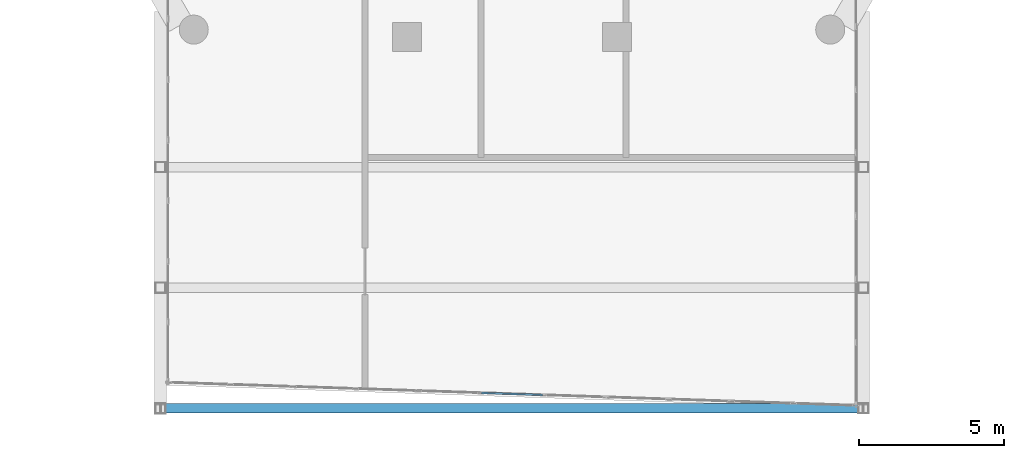
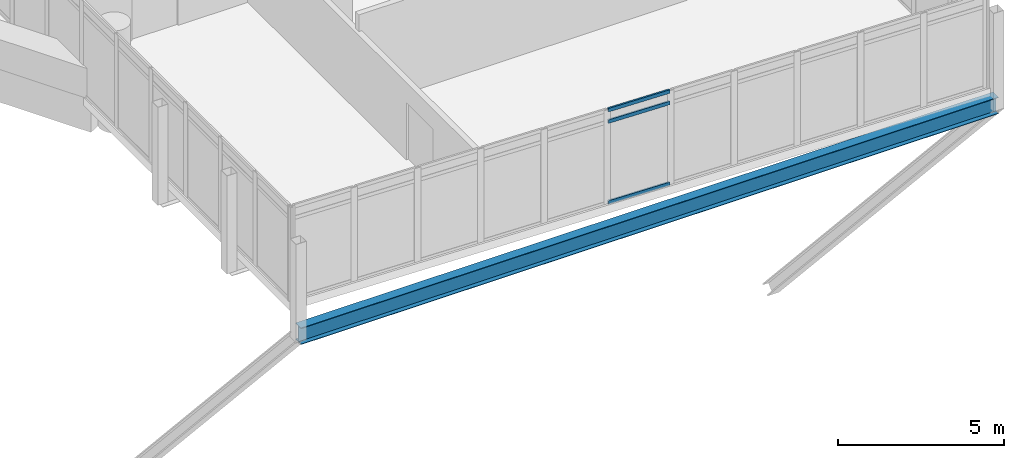
# One storey, part 6 of 38: 3 members, 1 beam, 1 element without a shape of its own.
"""IFC4 building model written with IfcOpenShell, lengths in metres."""

from ifc_helpers import new_model, si_unit, direction, frame, origin, origin_2d, place, context, subcontext, project, spatial, hollow_rectangle, i_section, extrude, material, material_profile, profile_set, type_object, element, aggregate, save


model = new_model("IFC4")

# Units and contexts
model_context = context("Model", 3, precision=1e-05, world=origin(), true_north=direction((0.0, 1.0)))
body_context = subcontext(model_context, "Body", "Model", "MODEL_VIEW")
ifc_project = project(units=[si_unit("LENGTHUNIT", "METRE"), si_unit("AREAUNIT", "SQUARE_METRE"), si_unit("VOLUMEUNIT", "CUBIC_METRE"), si_unit("PLANEANGLEUNIT", "RADIAN"), si_unit("MASSUNIT", "GRAM", prefix="KILO")], contexts=[model_context])

# Site, building, storey
site_placement = place(None, origin())
site = spatial("IfcSite", under=ifc_project, at=site_placement, CompositionType="ELEMENT")
building_placement = place(site_placement, origin())
building = spatial("IfcBuilding", under=site, at=building_placement, Name="Ostrander Bayou Hotel Tower", CompositionType="ELEMENT")
storey_placement = place(building_placement, frame((0.0, 0.0, 194.5)))
storey = spatial("IfcBuildingStorey", under=building, at=storey_placement, Name="L48", CompositionType="ELEMENT", Elevation=194.5)

# Curtain wall, members
ifc_material_1 = material(Name="Aluminium and clear glass", Category="aluminium")
curtain_wall_type = type_object("IfcCurtainWallType", Name="CW-BAR glazed wall", PredefinedType="NOTDEFINED", material=ifc_material_1)
curtain_wall_placement = place(storey_placement, origin())
curtain_wall = element("IfcCurtainWall", 1, at=curtain_wall_placement, inside=storey, type_object=curtain_wall_type, Name="CW-BAR L48:SB4S:T", PredefinedType="NOTDEFINED")
ifc_material_2 = material(Name="Aluminium", Category="aluminium")
ifc_material_profile_1 = material_profile(ifc_material_2, hollow_rectangle(XDim=0.06005859375, YDim=0.1298828125, WallThickness=0.00390625, at=origin_2d()))
ifc_profile_set_1 = profile_set([ifc_material_profile_1], Name="Aluminium")
member_type = type_object("IfcMemberType", Name="CW-BR transom 60 x 130 mm", PredefinedType="USERDEFINED", material=ifc_profile_set_1)
member_1_placement = place(storey_placement, frame((-1.0478515625, -29.614990234375, 0.030029296875), z_axis=(0.999441542075, -0.033415624718, 0.0), x_axis=(0.033415624718, 0.999441542075, 0.0)))
member_1 = element("IfcMember", 2, at=member_1_placement, type_object=member_type, Name="CW-BAR transom 6.1", ObjectType="TRANSOM", PredefinedType="USERDEFINED", context=body_context, shape_type="SweptSolid", body=[
    extrude(hollow_rectangle(XDim=0.06005859375, YDim=0.1298828125, WallThickness=0.00390625, at=origin_2d()), origin(), (0.0, 0.0, 1.0), 2.096923828125),
])
member_2_placement = place(storey_placement, frame((-1.0478515625, -29.614990234375, 3.0), z_axis=(0.999441542075, -0.033415624718, 0.0), x_axis=(0.033415624718, 0.999441542075, 0.0)))
member_2 = element("IfcMember", 3, at=member_2_placement, type_object=member_type, Name="CW-BAR transom 6.2", ObjectType="TRANSOM", PredefinedType="USERDEFINED", context=body_context, shape_type="SweptSolid", body=[
    extrude(hollow_rectangle(XDim=0.06005859375, YDim=0.1298828125, WallThickness=0.00390625, at=origin_2d()), origin(), (0.0, 0.0, 1.0), 2.096923828125),
])
member_3_placement = place(storey_placement, frame((-1.0478515625, -29.614990234375, 3.419921875), z_axis=(0.999441542075, -0.033415624718, 0.0), x_axis=(0.033415624718, 0.999441542075, 0.0)))
member_3 = element("IfcMember", 4, at=member_3_placement, type_object=member_type, Name="CW-BAR transom 6.3", ObjectType="TRANSOM", PredefinedType="USERDEFINED", context=body_context, shape_type="SweptSolid", body=[
    extrude(hollow_rectangle(XDim=0.06005859375, YDim=0.1298828125, WallThickness=0.00390625, at=origin_2d()), origin(), (0.0, 0.0, 1.0), 2.096923828125),
])
aggregate(curtain_wall, [member_1, member_2, member_3])

# Beam
ifc_material_3 = material(Name="Steel ASTM A992", Category="steel")
ifc_material_profile_2 = material_profile(ifc_material_3, i_section(OverallWidth=0.32373046875, OverallDepth=0.611083984375, WebThickness=0.0126953125, FlangeThickness=0.01904296875, at=origin_2d()))
ifc_profile_set_2 = profile_set([ifc_material_profile_2], Name="Steel ASTM A992")
beam_type = type_object("IfcBeamType", Name="TF2 bar floor beam W24x104", PredefinedType="BEAM", material=ifc_profile_set_2)
beam_placement = place(storey_placement, frame((-12.110107421875, -30.14990234375, -0.605712890625), z_axis=(1.0, 0.0, 0.0), x_axis=(0.0, 1.0, 0.0)))
element("IfcBeam", 5, at=beam_placement, inside=storey, type_object=beam_type, Name="TF2 SB4S L1-3", PredefinedType="BEAM", context=body_context, shape_type="SweptSolid", body=[
    extrude(i_section(OverallWidth=0.32373046875, OverallDepth=0.611083984375, WebThickness=0.0126953125, FlangeThickness=0.01904296875, at=origin_2d()), origin(), (0.0, 0.0, 1.0), 24.22021484375),
])

save(model, "model.ifc")
